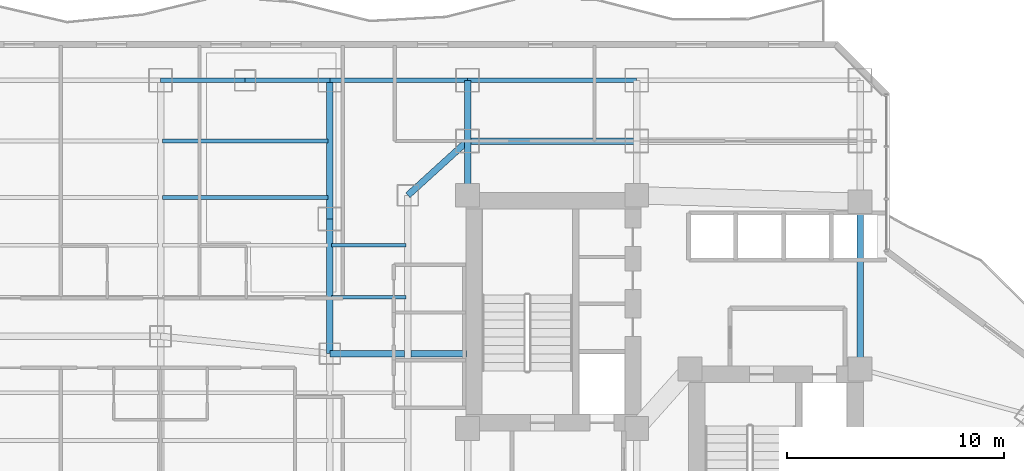
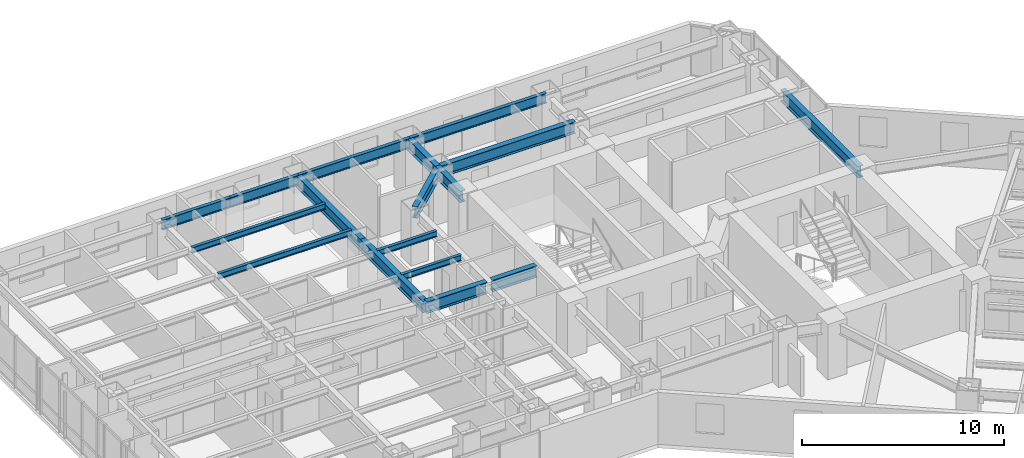
# One storey, part 17 of 37: 17 beams.
"""IFC4 building model written with IfcOpenShell, lengths in metres."""

from ifc_helpers import new_model, si_unit, direction, frame, origin, origin_2d, place, context, subcontext, project, spatial, i_section, extrude, material, material_profile, profile_set, type_object, element, save


model = new_model("IFC4")

# Units and contexts
model_context = context("Model", 3, precision=1e-05, world=origin(), true_north=direction((0.0, 1.0)))
body_context = subcontext(model_context, "Body", "Model", "MODEL_VIEW")
ifc_project = project(units=[si_unit("LENGTHUNIT", "METRE"), si_unit("AREAUNIT", "SQUARE_METRE"), si_unit("VOLUMEUNIT", "CUBIC_METRE"), si_unit("PLANEANGLEUNIT", "RADIAN"), si_unit("MASSUNIT", "GRAM", prefix="KILO")], contexts=[model_context])

# Site, building, storey
site_placement = place(None, origin())
site = spatial("IfcSite", under=ifc_project, at=site_placement, CompositionType="ELEMENT")
building_placement = place(site_placement, origin())
building = spatial("IfcBuilding", under=site, at=building_placement, Name="Hatsunagi Terrace Concourse", CompositionType="ELEMENT")
storey_placement = place(building_placement, frame((0.0, 0.0, 50.0)))
storey = spatial("IfcBuildingStorey", under=building, at=storey_placement, Name="L12", CompositionType="ELEMENT", Elevation=50.0)

# Beams
ifc_material_1 = material(Name="Steel SN490B", Category="steel")
ifc_material_profile_1 = material_profile(ifc_material_1, i_section(OverallWidth=0.300048828125, OverallDepth=0.699951171875, WebThickness=0.012939453125, FlangeThickness=0.02392578125, FilletRadius=0.02197265625, at=origin_2d()), Name="H-700x300x13x24")
ifc_profile_set_1 = profile_set([ifc_material_profile_1], Name="Steel SN490B")
beam_type_1 = type_object("IfcBeamType", Name="HotelFloorGirder_H_700x300", PredefinedType="BEAM", material=ifc_profile_set_1)
beam_1_placement = place(storey_placement, frame((43.64990234375, 35.300048828125, 2.780029296875), z_axis=(0.0, 1.0, 0.0), x_axis=(-1.0, 0.0, 0.0)))
element("IfcBeam", 1, at=beam_1_placement, inside=storey, type_object=beam_type_1, Name="Beam G-04 BM-L12-CBK3", PredefinedType="BEAM", context=body_context, shape_type="SweptSolid", body=[
    extrude(i_section(OverallWidth=0.300048828125, OverallDepth=0.699951171875, WebThickness=0.012939453125, FlangeThickness=0.02392578125, FilletRadius=0.02197265625, at=origin_2d()), origin(), (0.0, 0.0, 1.0), 7.699951171875),
])
beam_2_placement = place(storey_placement, frame((25.550048828125, 43.300048828125, 2.780029296875), z_axis=(0.0, 1.0, 0.0), x_axis=(-1.0, 0.0, 0.0)))
element("IfcBeam", 2, at=beam_2_placement, inside=storey, type_object=beam_type_1, Name="Beam G-04 BM-L12-CN1", PredefinedType="BEAM", context=body_context, shape_type="SweptSolid", body=[
    extrude(i_section(OverallWidth=0.300048828125, OverallDepth=0.699951171875, WebThickness=0.012939453125, FlangeThickness=0.02392578125, FilletRadius=0.02197265625, at=origin_2d()), origin(), (0.0, 0.0, 1.0), 2.5),
])
beam_3_placement = place(storey_placement, frame((25.550048828125, 45.800048828125, 2.780029296875), z_axis=(1.0, 0.0, 0.0), x_axis=(0.0, 1.0, 0.0)))
element("IfcBeam", 3, at=beam_3_placement, inside=storey, type_object=beam_type_1, Name="Beam G-04 BM-L12-CNEW1", PredefinedType="BEAM", context=body_context, shape_type="SweptSolid", body=[
    extrude(i_section(OverallWidth=0.300048828125, OverallDepth=0.699951171875, WebThickness=0.012939453125, FlangeThickness=0.02392578125, FilletRadius=0.02197265625, at=origin_2d()), origin(), (0.0, 0.0, 1.0), 7.800048828125),
])
beam_4_placement = place(storey_placement, frame((25.550048828125, 45.800048828125, 2.780029296875), z_axis=(0.0, 1.0, 0.0), x_axis=(-1.0, 0.0, 0.0)))
element("IfcBeam", 4, at=beam_4_placement, inside=storey, type_object=beam_type_1, Name="Beam G-04 BM-L12-KN-WN4", PredefinedType="BEAM", context=body_context, shape_type="SweptSolid", body=[
    extrude(i_section(OverallWidth=0.300048828125, OverallDepth=0.699951171875, WebThickness=0.012939453125, FlangeThickness=0.02392578125, FilletRadius=0.02197265625, at=origin_2d()), origin(), (0.0, 0.0, 1.0), 2.800048828125),
])
beam_5_placement = place(storey_placement, frame((22.800048828125, 43.300048828125, 2.780029296875), z_axis=(0.739940073396, 0.672672793996, 0.0), x_axis=(-0.672672793996, 0.739940073396, 0.0)))
element("IfcBeam", 5, at=beam_5_placement, inside=storey, type_object=beam_type_1, Name="Beam G-04 BM-L12-CWEW-N", PredefinedType="BEAM", context=body_context, shape_type="SweptSolid", body=[
    extrude(i_section(OverallWidth=0.300048828125, OverallDepth=0.699951171875, WebThickness=0.012939453125, FlangeThickness=0.02392578125, FilletRadius=0.02197265625, at=origin_2d()), origin(), (0.0, 0.0, 1.0), 3.716552734375),
])
beam_6_placement = place(storey_placement, frame((19.199951171875, 36.0, 2.780029296875), z_axis=(0.0, 1.0, 0.0), x_axis=(-1.0, 0.0, 0.0)))
element("IfcBeam", 6, at=beam_6_placement, inside=storey, type_object=beam_type_1, Name="Beam G-04 BM-L12-NS-19-36", PredefinedType="BEAM", context=body_context, shape_type="SweptSolid", body=[
    extrude(i_section(OverallWidth=0.300048828125, OverallDepth=0.699951171875, WebThickness=0.012939453125, FlangeThickness=0.02392578125, FilletRadius=0.02197265625, at=origin_2d()), origin(), (0.0, 0.0, 1.0), 6.199951171875),
])
beam_7_placement = place(storey_placement, frame((19.199951171875, 42.199951171875, 2.780029296875), z_axis=(0.0, 1.0, 0.0), x_axis=(-1.0, 0.0, 0.0)))
element("IfcBeam", 7, at=beam_7_placement, inside=storey, type_object=beam_type_1, Name="Beam G-04 BM-L12-NS-19-42", PredefinedType="BEAM", context=body_context, shape_type="SweptSolid", body=[
    extrude(i_section(OverallWidth=0.300048828125, OverallDepth=0.699951171875, WebThickness=0.012939453125, FlangeThickness=0.02392578125, FilletRadius=0.02197265625, at=origin_2d()), origin(), (0.0, 0.0, 1.0), 6.400146484375),
])
beam_8_placement = place(storey_placement, frame((19.199951171875, 36.0, 2.780029296875), z_axis=(1.0, 0.0, 0.0), x_axis=(0.0, 1.0, 0.0)))
element("IfcBeam", 8, at=beam_8_placement, inside=storey, type_object=beam_type_1, Name="Beam G-04 BM-L12-EW-3", PredefinedType="BEAM", context=body_context, shape_type="SweptSolid", body=[
    extrude(i_section(OverallWidth=0.300048828125, OverallDepth=0.699951171875, WebThickness=0.012939453125, FlangeThickness=0.02392578125, FilletRadius=0.02197265625, at=origin_2d()), origin(), (0.0, 0.0, 1.0), 3.449951171875),
])
beam_9_placement = place(storey_placement, frame((22.949951171875, 36.0, 2.780029296875), z_axis=(1.0, 0.0, 0.0), x_axis=(0.0, 1.0, 0.0)))
element("IfcBeam", 9, at=beam_9_placement, inside=storey, type_object=beam_type_1, Name="Beam G-04 BM-L12-EW-4", PredefinedType="BEAM", context=body_context, shape_type="SweptSolid", body=[
    extrude(i_section(OverallWidth=0.300048828125, OverallDepth=0.699951171875, WebThickness=0.012939453125, FlangeThickness=0.02392578125, FilletRadius=0.02197265625, at=origin_2d()), origin(), (0.0, 0.0, 1.0), 2.56005859375),
])
ifc_material_2 = material(Name="Steel SN490B", Category="steel")
ifc_material_profile_2 = material_profile(ifc_material_2, i_section(OverallWidth=0.175048828125, OverallDepth=0.35009765625, WebThickness=0.007080078125, FlangeThickness=0.010986328125, FilletRadius=0.012939453125, at=origin_2d()), Name="H-350x175x7x11")
ifc_profile_set_2 = profile_set([ifc_material_profile_2], Name="Steel SN490B")
beam_type_2 = type_object("IfcBeamType", Name="HotelJoist_H_350x175", PredefinedType="JOIST", material=ifc_profile_set_2)
for number, where, z_axis, x_axis, name in (
    (10, (19.284912109375, 38.60009765625, 2.955078125), (1.0, 0.0, 0.0), (0.0, 1.0, 0.0), "Beam J-02 J-L12-W-19-386"),
    (11, (19.284912109375, 41.0, 2.955078125), (1.0, 0.0, 0.0), (0.0, 1.0, 0.0), "Beam J-02 J-L12-W-19-410"),
):
    element("IfcBeam", number, at=place(storey_placement, frame(where, z_axis=z_axis, x_axis=x_axis)), inside=storey, type_object=beam_type_2, Name=name, PredefinedType="JOIST", context=body_context, shape_type="SweptSolid", body=[
        extrude(i_section(OverallWidth=0.175048828125, OverallDepth=0.35009765625, WebThickness=0.007080078125, FlangeThickness=0.010986328125, FilletRadius=0.012939453125, at=origin_2d()), origin(), (0.0, 0.0, 1.0), 3.43017578125),
    ])
for number, where, z_axis, x_axis, name in (
    (12, (11.485107421875, 43.199951171875, 2.955078125), (1.0, 0.0, 0.0), (0.0, 1.0, 0.0), "Beam J-02 J-L12-W-11-432"),
    (13, (11.485107421875, 45.800048828125, 2.955078125), (1.0, 0.0, 0.0), (0.0, 1.0, 0.0), "Beam J-02 J-L12-W-11-458"),
):
    element("IfcBeam", number, at=place(storey_placement, frame(where, z_axis=z_axis, x_axis=x_axis)), inside=storey, type_object=beam_type_2, Name=name, PredefinedType="JOIST", context=body_context, shape_type="SweptSolid", body=[
        extrude(i_section(OverallWidth=0.175048828125, OverallDepth=0.35009765625, WebThickness=0.007080078125, FlangeThickness=0.010986328125, FilletRadius=0.012939453125, at=origin_2d()), origin(), (0.0, 0.0, 1.0), 7.6298828125),
    ])
ifc_material_3 = material(Name="Steel SN490B", Category="steel")
ifc_material_profile_3 = material_profile(ifc_material_3, i_section(OverallWidth=0.199951171875, OverallDepth=0.60009765625, WebThickness=0.010986328125, FlangeThickness=0.01708984375, FilletRadius=0.01806640625, at=origin_2d()), Name="H-600x200x11x17")
ifc_profile_set_3 = profile_set([ifc_material_profile_3], Name="Steel SN490B")
beam_type_3 = type_object("IfcBeamType", Name="PerimeterSpandrel_H_600x200", PredefinedType="SPANDREL", material=ifc_profile_set_3)
beam_10_placement = place(storey_placement, frame((11.39990234375, 48.60009765625, 2.830078125), z_axis=(1.0, 0.0, 0.0), x_axis=(0.0, 1.0, 0.0)))
element("IfcBeam", 14, at=beam_10_placement, inside=storey, type_object=beam_type_3, Name="Beam SP-01 BM-L12-WN-11", PredefinedType="SPANDREL", context=body_context, shape_type="SweptSolid", body=[
    extrude(i_section(OverallWidth=0.199951171875, OverallDepth=0.60009765625, WebThickness=0.010986328125, FlangeThickness=0.01708984375, FilletRadius=0.01806640625, at=origin_2d()), origin(), (0.0, 0.0, 1.0), 3.900146484375),
])
beam_11_placement = place(storey_placement, frame((15.300048828125, 48.60009765625, 2.830078125), z_axis=(1.0, 0.0, 0.0), x_axis=(0.0, 1.0, 0.0)))
element("IfcBeam", 15, at=beam_11_placement, inside=storey, type_object=beam_type_3, Name="Beam SP-01 BM-L12-WN-15", PredefinedType="SPANDREL", context=body_context, shape_type="SweptSolid", body=[
    extrude(i_section(OverallWidth=0.199951171875, OverallDepth=0.60009765625, WebThickness=0.010986328125, FlangeThickness=0.01708984375, FilletRadius=0.01806640625, at=origin_2d()), origin(), (0.0, 0.0, 1.0), 3.89990234375),
])
beam_12_placement = place(storey_placement, frame((19.199951171875, 48.60009765625, 2.830078125), z_axis=(1.0, 0.0, 0.0), x_axis=(0.0, 1.0, 0.0)))
element("IfcBeam", 16, at=beam_12_placement, inside=storey, type_object=beam_type_3, Name="Beam SP-01 BM-L12-WN-19", PredefinedType="SPANDREL", context=body_context, shape_type="SweptSolid", body=[
    extrude(i_section(OverallWidth=0.199951171875, OverallDepth=0.60009765625, WebThickness=0.010986328125, FlangeThickness=0.01708984375, FilletRadius=0.01806640625, at=origin_2d()), origin(), (0.0, 0.0, 1.0), 6.35009765625),
])
beam_13_placement = place(storey_placement, frame((25.550048828125, 48.60009765625, 2.830078125), z_axis=(1.0, 0.0, 0.0), x_axis=(0.0, 1.0, 0.0)))
element("IfcBeam", 17, at=beam_13_placement, inside=storey, type_object=beam_type_3, Name="Beam SP-01 BM-L12-WN-25", PredefinedType="SPANDREL", context=body_context, shape_type="SweptSolid", body=[
    extrude(i_section(OverallWidth=0.199951171875, OverallDepth=0.60009765625, WebThickness=0.010986328125, FlangeThickness=0.01708984375, FilletRadius=0.01806640625, at=origin_2d()), origin(), (0.0, 0.0, 1.0), 7.800048828125),
])

save(model, "model.ifc")
